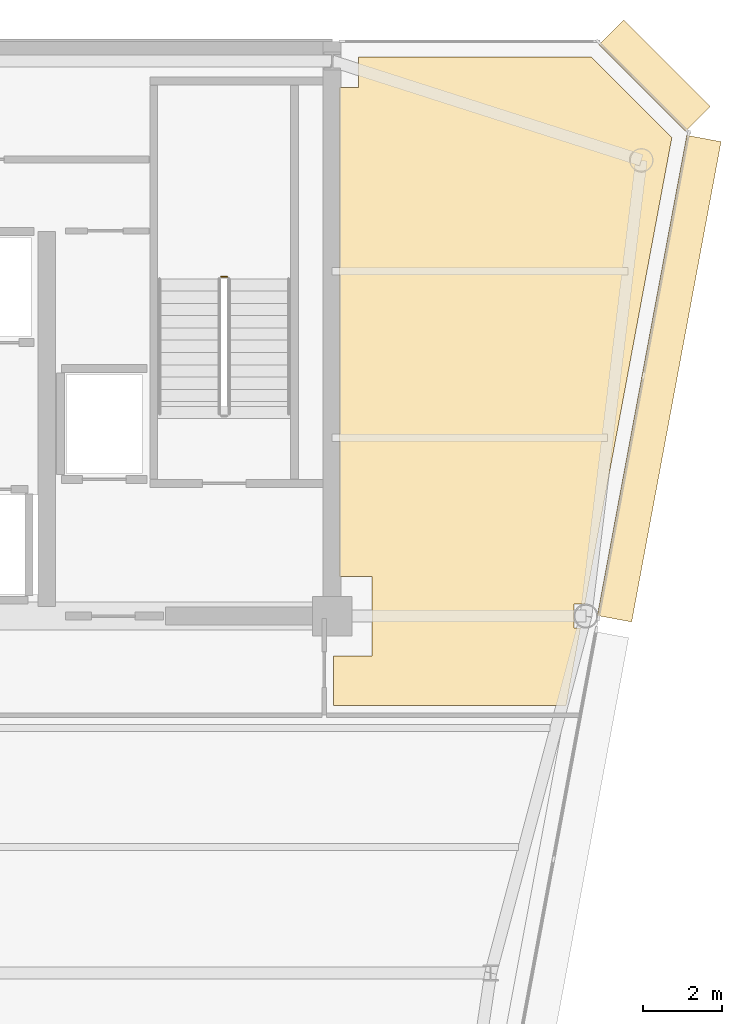
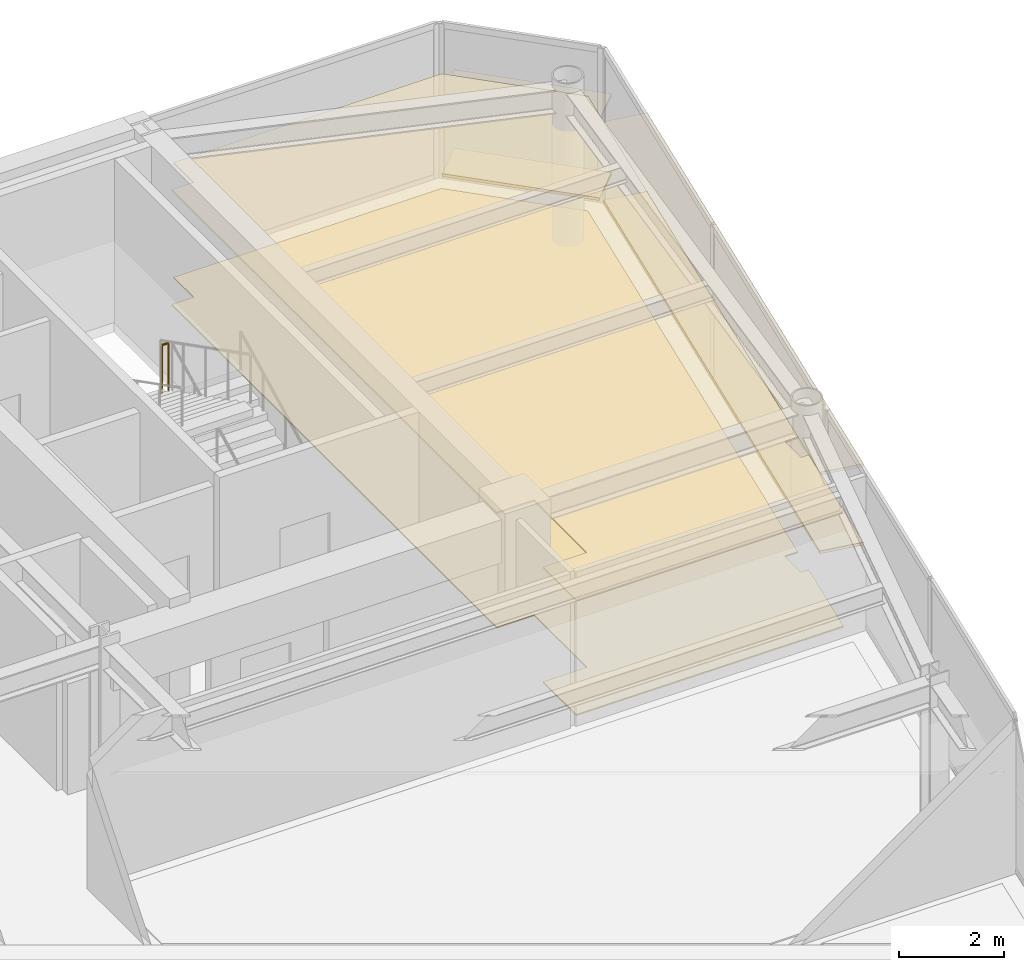
# One storey, part 18 of 18: 6 coverings, 1 railing.
"""IFC4 building model written with IfcOpenShell, lengths in metres."""

from ifc_helpers import new_model, si_unit, direction, frame, origin, origin_2d, place, context, subcontext, project, spatial, polyline, rectangle, circle, outline, extrude, source, transform, mapped, material, layer, layer_set, type_object, element, save


model = new_model("IFC4")

# Units and contexts
model_context = context("Model", 3, precision=1e-05, world=origin(), true_north=direction((0.0, 1.0)))
body_context = subcontext(model_context, "Body", "Model", "MODEL_VIEW")
ifc_project = project(units=[si_unit("LENGTHUNIT", "METRE"), si_unit("AREAUNIT", "SQUARE_METRE"), si_unit("VOLUMEUNIT", "CUBIC_METRE"), si_unit("PLANEANGLEUNIT", "RADIAN"), si_unit("MASSUNIT", "GRAM", prefix="KILO")], contexts=[model_context])

# Site, building, storey
site_placement = place(None, origin())
site = spatial("IfcSite", under=ifc_project, at=site_placement, CompositionType="ELEMENT")
building_placement = place(site_placement, origin())
building = spatial("IfcBuilding", under=site, at=building_placement, Name="Vaeldorn Concourse Tower", CompositionType="ELEMENT")
storey_placement = place(building_placement, frame((0.0, 0.0, 253.60009765625)))
storey = spatial("IfcBuildingStorey", under=building, at=storey_placement, Name="L65", CompositionType="ELEMENT", Elevation=253.60009765625)

# Coverings
ifc_material_1 = material(Name="Acoustic Mineral Fibre Board", Category="gypsum")
ifc_layer_1 = layer(ifc_material_1, 0.0400390625)
ifc_layer_set_1 = layer_set([ifc_layer_1], Name="Acoustic Mineral Fibre Board")
covering_type_1 = type_object("IfcCoveringType", Name="COV-CEIL-ACOUSTIC", PredefinedType="CEILING", material=ifc_layer_set_1)
covering_1_placement = place(storey_placement, frame((0.0, 0.0, 2.64990234375)))
element("IfcCovering", 1, at=covering_1_placement, inside=storey, type_object=covering_type_1, Name="Suspended Acoustic Ceiling L65-4", PredefinedType="CEILING", context=body_context, shape_type="SweptSolid", body=[
    extrude(outline(polyline([(54.179931640625, 49.840087890625), (54.659912109375, 49.840087890625), (54.659912109375, 50.60009765625), (60.5341796875, 50.60009765625), (62.568115234375, 48.566162109375), (60.378173828125, 36.804931640625), (60.094970703125, 36.804931640625), (60.094970703125, 36.195068359375), (60.2646484375, 36.195068359375), (59.900634765625, 34.239990234375), (54.0400390625, 34.239990234375), (54.0400390625, 35.5), (55.0, 35.5), (55.0, 37.5), (54.179931640625, 37.5), (54.179931640625, 49.840087890625)])), origin(), (0.0, 0.0, 1.0), 0.0400390625),
])
ifc_material_2 = material(Name="Honed Limestone Terrazzo Flooring", Category="masonry")
ifc_layer_2 = layer(ifc_material_2, 0.0400390625)
ifc_layer_set_2 = layer_set([ifc_layer_2], Name="Honed Limestone Terrazzo Flooring")
covering_type_2 = type_object("IfcCoveringType", Name="COV-FLOOR-STONE", PredefinedType="FLOORING", material=ifc_layer_set_2)
covering_2_placement = place(storey_placement, origin())
element("IfcCovering", 2, at=covering_2_placement, inside=storey, type_object=covering_type_2, Name="Floor Finish Covering L65-4", PredefinedType="FLOORING", context=body_context, shape_type="SweptSolid", body=[
    extrude(outline(polyline([(54.179931640625, 49.840087890625), (54.659912109375, 49.840087890625), (54.659912109375, 50.60009765625), (60.5341796875, 50.60009765625), (62.568115234375, 48.566162109375), (60.378173828125, 36.804931640625), (60.094970703125, 36.804931640625), (60.094970703125, 36.195068359375), (60.2646484375, 36.195068359375), (59.900634765625, 34.239990234375), (54.0400390625, 34.239990234375), (54.0400390625, 35.5), (55.0, 35.5), (55.0, 37.5), (54.179931640625, 37.5), (54.179931640625, 49.840087890625)])), origin(), (0.0, 0.0, 1.0), 0.02978515625),
])

# Railing
ifc_material_3 = material(Name="Anodised Bronze Aluminium", Category="aluminium")
railing_type = type_object("IfcRailingType", Name="RL-STAIR-GUARD", PredefinedType="GUARDRAIL", material=ifc_material_3)
railing_placement = place(storey_placement, frame((51.35009765625, 45.06005859375, 1.89990234375)))
element("IfcRailing", 3, at=railing_placement, inside=storey, type_object=railing_type, Name="L65 ST-2 stair guard 2", PredefinedType="GUARDRAIL", context=body_context, shape_type="SweptSolid", body=[
    extrude(circle(Radius=0.02392578125, at=origin_2d()), frame((0.0, 0.0, 1.1259765625), z_axis=(-1.0, 0.0, 0.0), x_axis=(0.0, -1.0, 0.0)), (0.0, 0.0, 1.0), 0.150146484375),
    extrude(circle(Radius=0.02099609375, at=origin_2d()), origin(), (0.0, 0.0, 1.0), 1.101806640625),
    extrude(circle(Radius=0.02099609375, at=origin_2d()), frame((-0.150146484375, 0.0, 0.0)), (0.0, 0.0, 1.0), 1.101806640625),
])

# Coverings
ifc_layer_3 = layer(ifc_material_3, 0.06494140625)
ifc_layer_set_3 = layer_set([ifc_layer_3], Name="Anodised Bronze Aluminium")
covering_type_3 = type_object("IfcCoveringType", Name="SD-BRONZE-SUNSHADE", PredefinedType="USERDEFINED", material=ifc_layer_set_3)
shared_shape_1 = source(origin(), body_context, "Body", "SweptSolid", [
    extrude(rectangle(XDim=3.0927734375, YDim=0.8798828125, at=origin_2d()), origin(), (0.0, 0.0, 1.0), 0.06494140625),
])
for number, where, z_axis, x_axis, name in (
    (4, (62.1328125, 50.1328125, 0.04736328125), (0.0, 0.0, 1.0), (-0.707106781187, 0.707106781187, 0.0), "Horizontal Bronze Sunshade L65-E08.1.1"),
    (5, (62.1328125, 50.1328125, 1.867431640625), (0.0, 0.0, 1.0), (-0.707106781187, 0.707106781187, 0.0), "Horizontal Bronze Sunshade L65-E08.1.2"),
):
    element("IfcCovering", number, at=place(storey_placement, frame(where, z_axis=z_axis, x_axis=x_axis)), inside=storey, type_object=covering_type_3, Name=name, ObjectType="SUNSHADE", PredefinedType="USERDEFINED", context=body_context, shape_type="MappedRepresentation", body=[
        mapped(shared_shape_1, transform((0.0, 0.0, 0.0), scale=1.0)),
    ])
shared_shape_2 = source(origin(), body_context, "Body", "SweptSolid", [
    extrude(rectangle(XDim=12.322509765625, YDim=0.8798828125, at=origin_2d()), origin(), (0.0, 0.0, 1.0), 0.06494140625),
])
for number, where, z_axis, x_axis, name in (
    (6, (62.250732421875, 42.490966796875, 0.04736328125), (0.0, 0.0, 1.0), (0.183059191151, 0.983101893262, 0.0), "Horizontal Bronze Sunshade L65-E07.2.1"),
    (7, (62.250732421875, 42.490966796875, 1.867431640625), (0.0, 0.0, 1.0), (0.183059191151, 0.983101893262, 0.0), "Horizontal Bronze Sunshade L65-E07.2.2"),
):
    element("IfcCovering", number, at=place(storey_placement, frame(where, z_axis=z_axis, x_axis=x_axis)), inside=storey, type_object=covering_type_3, Name=name, ObjectType="SUNSHADE", PredefinedType="USERDEFINED", context=body_context, shape_type="MappedRepresentation", body=[
        mapped(shared_shape_2, transform((0.0, 0.0, 0.0), scale=1.0)),
    ])

save(model, "model.ifc")
